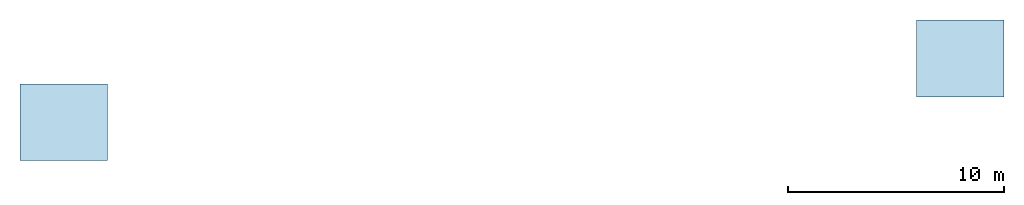
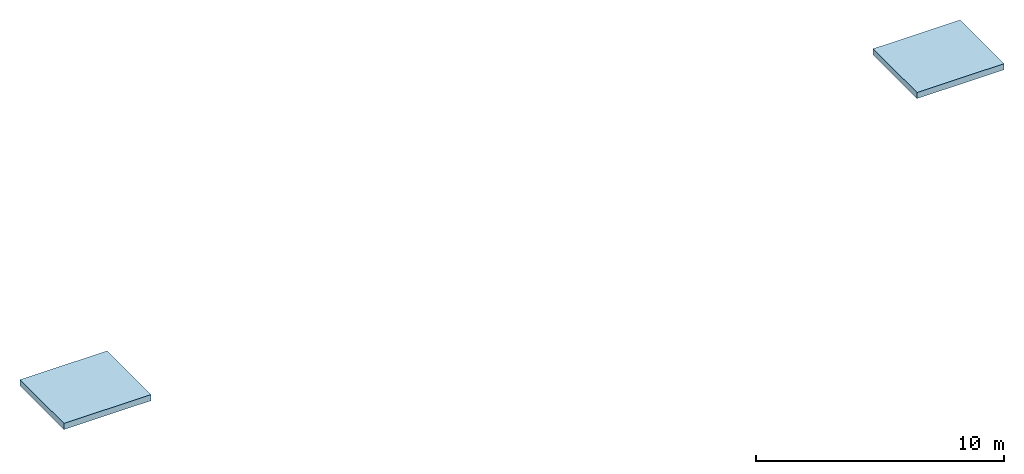
# One storey: 2 slabs.
"""IFC4 building model written with IfcOpenShell, lengths in metres."""

from ifc_helpers import new_model, si_unit, direction, frame, origin, place, context, subcontext, project, spatial, polyline, outline, extrude, material, layer, layer_set, type_object, element, save


model = new_model("IFC4")

# Units and contexts
model_context = context("Model", 3, precision=1e-05, world=origin(), true_north=direction((0.0, 1.0)))
body_context = subcontext(model_context, "Body", "Model", "MODEL_VIEW")
ifc_project = project(units=[si_unit("LENGTHUNIT", "METRE"), si_unit("AREAUNIT", "SQUARE_METRE"), si_unit("VOLUMEUNIT", "CUBIC_METRE"), si_unit("PLANEANGLEUNIT", "RADIAN"), si_unit("MASSUNIT", "GRAM", prefix="KILO")], contexts=[model_context])

# Site, building, storey
site_placement = place(None, origin())
site = spatial("IfcSite", under=ifc_project, at=site_placement, CompositionType="ELEMENT")
building_placement = place(site_placement, origin())
building = spatial("IfcBuilding", under=site, at=building_placement, Name="Trellis Farm Tower", CompositionType="ELEMENT")
storey_placement = place(building_placement, frame((0.0, 0.0, 364.699951171875)))
storey = spatial("IfcBuildingStorey", under=building, at=storey_placement, Name="UPPER ROOF", CompositionType="ELEMENT", Elevation=364.699951171875)

# Slabs
ifc_material = material(Name="Concrete C50/60", Category="concrete")
ifc_layer = layer(ifc_material, 0.300048828125)
ifc_layer_set = layer_set([ifc_layer], Name="LIFT OVERRUN HOUSING CAP 300 CONCRETE C50/60")
slab_type = type_object("IfcSlabType", Name="LIFT OVERRUN HOUSING CAP 300 CONCRETE C50/60", PredefinedType="ROOF", material=ifc_layer_set)
placement = place(storey_placement, origin())
element("IfcSlab", 1, at=placement, inside=storey, type_object=slab_type, Name="Lift overrun housing roof", PredefinedType="ROOF", context=body_context, shape_type="SweptSolid", body=[
    extrude(outline(polyline([(18.699951171875, -0.300048828125), (22.75, -0.300048828125), (22.75, 3.25), (18.699951171875, 3.25), (18.699951171875, -0.300048828125)])), origin(), (0.0, 0.0, 1.0), 0.300048828125),
])
element("IfcSlab", 2, at=placement, inside=storey, type_object=slab_type, Name="Lift overrun housing roof", PredefinedType="ROOF", context=body_context, shape_type="SweptSolid", body=[
    extrude(outline(polyline([(-18.699951171875, 0.300048828125), (-22.75, 0.300048828125), (-22.75, -3.25), (-18.699951171875, -3.25), (-18.699951171875, 0.300048828125)])), origin(), (0.0, 0.0, 1.0), 0.300048828125),
])

save(model, "model.ifc")
